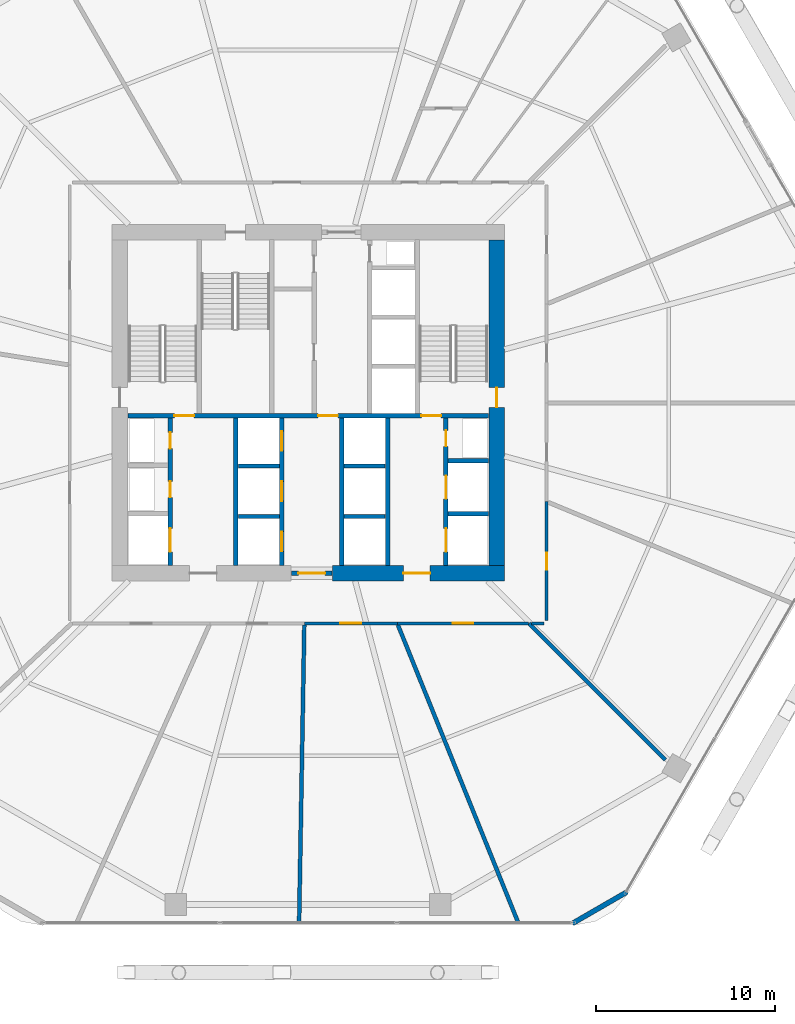
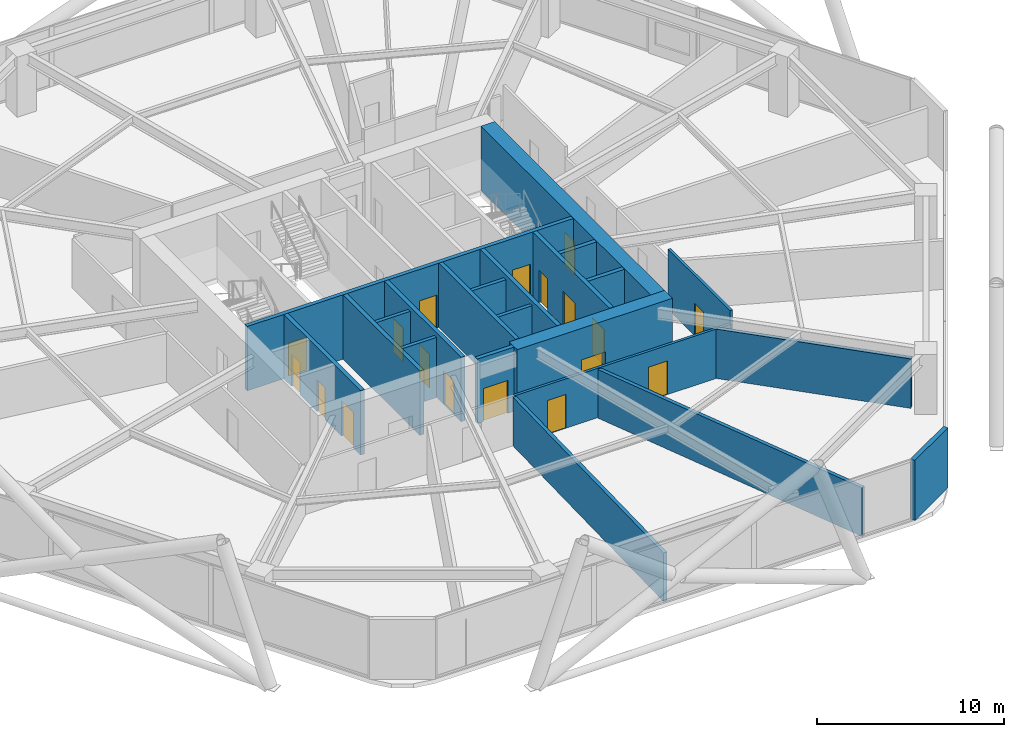
# One storey, part 25 of 28: 24 walls, 18 doors, 18 openings.
"""IFC4 building model written with IfcOpenShell, lengths in metres."""

from ifc_helpers import new_model, si_unit, direction, frame, frame_2d, origin, place, context, subcontext, project, spatial, rectangle, extrude, material, layer, layer_set, type_object, element, fill, save


model = new_model("IFC4")

# Units and contexts
model_context = context("Model", 3, precision=1e-05, world=origin(), true_north=direction((0.0, 1.0)))
body_context = subcontext(model_context, "Body", "Model", "MODEL_VIEW")
ifc_project = project(units=[si_unit("LENGTHUNIT", "METRE"), si_unit("AREAUNIT", "SQUARE_METRE"), si_unit("VOLUMEUNIT", "CUBIC_METRE"), si_unit("PLANEANGLEUNIT", "RADIAN"), si_unit("MASSUNIT", "GRAM", prefix="KILO")], contexts=[model_context])

# Site, building, storey
site_placement = place(None, origin())
site = spatial("IfcSite", under=ifc_project, at=site_placement, CompositionType="ELEMENT")
building_placement = place(site_placement, origin())
building = spatial("IfcBuilding", under=site, at=building_placement, Name="Zuhravey Tower", CompositionType="ELEMENT")
storey_placement = place(building_placement, frame((0.0, 0.0, 75.0)))
storey = spatial("IfcBuildingStorey", under=building, at=storey_placement, Name="L18", CompositionType="ELEMENT", Elevation=75.0)

# Wall, opening, door
ifc_material_1 = material(Name="Concrete C60/75", Category="concrete")
ifc_layer_1 = layer(ifc_material_1, 0.85009765625)
ifc_layer_set_1 = layer_set([ifc_layer_1], Name="Concrete C60/75")
wall_type_1 = type_object("IfcWallType", Name="Core Shear Wall 850", PredefinedType="SHEAR", material=ifc_layer_set_1)
wall_1_placement = place(storey_placement, frame((37.35009765625, 22.5, 0.0), z_axis=(0.0, 0.0, 1.0), x_axis=(1.0, 0.0, 0.0)))
wall_1 = element("IfcWall", 1, at=wall_1_placement, inside=storey, type_object=wall_type_1, Name="L18 South-East Core Shear Wall CW85", PredefinedType="SHEAR", context=body_context, shape_type="SweptSolid", body=[
    extrude(rectangle(XDim=9.574951171875, YDim=0.85009765625, at=frame_2d((4.78759765625, 0.0))), origin(), (0.0, 0.0, 1.0), 4.199951171875),
])
opening_1_placement = place(wall_1_placement, frame((3.949951171875, 0.0, 0.0)))
opening_1 = element("IfcOpeningElement", 2, at=opening_1_placement, cuts=wall_1, Name="Opening FFD1", PredefinedType="OPENING", context=body_context, shape_type="SweptSolid", body=[
    extrude(rectangle(XDim=1.5, YDim=2.14990234375, at=frame_2d((0.75, 1.074951171875))), frame((0.0, 0.43701171875, 0.0), z_axis=(0.0, -1.0, 0.0), x_axis=(1.0, 0.0, 0.0)), (0.0, 0.0, 1.0), 0.8740234375),
])
ifc_material_2 = material(Name="Galvanised fire-rated steel leaf", Category="steel")
door_type_1 = type_object("IfcDoorType", Name="Firefighting Lobby Double Door 1500x2150", OperationType="DOUBLE_DOOR_SINGLE_SWING", PredefinedType="DOOR", material=ifc_material_2)
door_1_placement = place(opening_1_placement, origin())
door_1 = element("IfcDoor", 3, at=door_1_placement, inside=storey, type_object=door_type_1, Name="L18 Firefighting Lobby East Door", OperationType="DOUBLE_DOOR_SINGLE_SWING", OverallHeight=2.14990234375, OverallWidth=1.5, PredefinedType="DOOR", context=body_context, shape_type="SweptSolid", body=[
    extrude(rectangle(XDim=1.5, YDim=2.14990234375, at=frame_2d((0.75, 1.074951171875))), frame((0.0, 0.02490234375, 0.0), z_axis=(0.0, -1.0, 0.0), x_axis=(1.0, 0.0, 0.0)), (0.0, 0.0, 1.0), 0.050048828125),
])
fill(opening_1, door_1)

wall_2_placement = place(storey_placement, frame((46.5, 22.925048828125, 0.0), z_axis=(0.0, 0.0, 1.0), x_axis=(0.0, 1.0, 0.0)))
wall_2 = element("IfcWall", 4, at=wall_2_placement, inside=storey, type_object=wall_type_1, Name="L18 East Core Shear Wall CW85", PredefinedType="SHEAR", context=body_context, shape_type="SweptSolid", body=[
    extrude(rectangle(XDim=18.14990234375, YDim=0.85009765625, at=frame_2d((9.074951171875, 0.0))), origin(), (0.0, 0.0, 1.0), 4.199951171875),
])
opening_2_placement = place(wall_2_placement, frame((8.824951171875, 0.0, 0.0)))
opening_2 = element("IfcOpeningElement", 5, at=opening_2_placement, cuts=wall_2, Name="Opening STD1", PredefinedType="OPENING", context=body_context, shape_type="SweptSolid", body=[
    extrude(rectangle(XDim=1.10009765625, YDim=2.14990234375, at=frame_2d((0.550048828125, 1.074951171875))), frame((0.0, 0.43701171875, 0.0), z_axis=(0.0, -1.0, 0.0), x_axis=(1.0, 0.0, 0.0)), (0.0, 0.0, 1.0), 0.8740234375),
])
door_type_2 = type_object("IfcDoorType", Name="Protected Stair Fire Door 1100x2150", OperationType="NOTDEFINED", PredefinedType="USERDEFINED", material=ifc_material_2)
door_2_placement = place(opening_2_placement, origin())
door_2 = element("IfcDoor", 6, at=door_2_placement, inside=storey, type_object=door_type_2, Name="L18 Stair ST2 Door", ObjectType="EXITDOOR", OperationType="SINGLE_SWING_LEFT", OverallHeight=2.14990234375, OverallWidth=1.10009765625, PredefinedType="USERDEFINED", context=body_context, shape_type="SweptSolid", body=[
    extrude(rectangle(XDim=1.10009765625, YDim=2.14990234375, at=frame_2d((0.550048828125, 1.074951171875))), frame((0.0, 0.02490234375, 0.0), z_axis=(0.0, -1.0, 0.0), x_axis=(1.0, 0.0, 0.0)), (0.0, 0.0, 1.0), 0.050048828125),
])
fill(opening_2, door_2)

ifc_material_3 = material(Name="Gypsum fire-rated stud partition")
ifc_layer_2 = layer(ifc_material_3, 0.159912109375)
ifc_layer_set_2 = layer_set([ifc_layer_2], Name="Gypsum fire-rated stud partition")
wall_type_2 = type_object("IfcWallType", Name="Corridor Fire Partition 160", PredefinedType="PARTITIONING", material=ifc_layer_set_2)
wall_3_placement = place(storey_placement, frame((35.78564453125, 19.715087890625, 0.0), z_axis=(0.0, 0.0, 1.0), x_axis=(1.0, 0.0, 0.0)))
wall_3 = element("IfcWall", 7, at=wall_3_placement, inside=storey, type_object=wall_type_2, Name="L18 IW16 Partition 028", PredefinedType="PARTITIONING", context=body_context, shape_type="SweptSolid", body=[
    extrude(rectangle(XDim=5.177734375, YDim=0.159912109375, at=frame_2d((2.5888671875, 0.0))), origin(), (0.0, 0.0, 1.0), 3.219970703125),
])
opening_3_placement = place(wall_3_placement, frame((2.013916015625, 0.0, 0.0)))
opening_3 = element("IfcOpeningElement", 8, at=opening_3_placement, cuts=wall_3, Name="Opening CLD1", PredefinedType="OPENING", context=body_context, shape_type="SweptSolid", body=[
    extrude(rectangle(XDim=1.14990234375, YDim=2.199951171875, at=frame_2d((0.574951171875, 1.10009765625))), frame((0.0, 0.092041015625, 0.0), z_axis=(0.0, -1.0, 0.0), x_axis=(1.0, 0.0, 0.0)), (0.0, 0.0, 1.0), 0.183837890625),
])
ifc_material_4 = material(Name="Acoustic timber leaf with vision lite", Category="wood")
door_type_3 = type_object("IfcDoorType", Name="Classroom Acoustic Door 1150x2200", OperationType="NOTDEFINED", PredefinedType="DOOR", material=ifc_material_4)
door_3_placement = place(opening_3_placement, frame((1.14990234375, 0.0, 0.0), z_axis=(0.0, 0.0, 1.0), x_axis=(-1.0, 0.0, 0.0)))
door_3 = element("IfcDoor", 9, at=door_3_placement, inside=storey, type_object=door_type_3, Name="L18 Door 028.1", OperationType="SINGLE_SWING_LEFT", OverallHeight=2.199951171875, OverallWidth=1.14990234375, PredefinedType="DOOR", context=body_context, shape_type="SweptSolid", body=[
    extrude(rectangle(XDim=1.14990234375, YDim=2.199951171875, at=frame_2d((0.574951171875, 1.10009765625))), frame((0.0, 0.02490234375, 0.0), z_axis=(0.0, -1.0, 0.0), x_axis=(1.0, 0.0, 0.0)), (0.0, 0.0, 1.0), 0.050048828125),
])
fill(opening_3, door_3)

wall_4_placement = place(storey_placement, frame((40.96337890625, 19.715087890625, 0.0), z_axis=(0.0, 0.0, 1.0), x_axis=(1.0, 0.0, 0.0)))
wall_4 = element("IfcWall", 10, at=wall_4_placement, inside=storey, type_object=wall_type_2, Name="L18 IW16 Partition 029", PredefinedType="PARTITIONING", context=body_context, shape_type="SweptSolid", body=[
    extrude(rectangle(XDim=7.321533203125, YDim=0.159912109375, at=frame_2d((3.66064453125, 0.0))), origin(), (0.0, 0.0, 1.0), 3.219970703125),
])
opening_4_placement = place(wall_4_placement, frame((3.085693359375, 0.0, 0.0)))
opening_4 = element("IfcOpeningElement", 11, at=opening_4_placement, cuts=wall_4, Name="Opening CLD1", PredefinedType="OPENING", context=body_context, shape_type="SweptSolid", body=[
    extrude(rectangle(XDim=1.14990234375, YDim=2.199951171875, at=frame_2d((0.574951171875, 1.10009765625))), frame((0.0, 0.092041015625, 0.0), z_axis=(0.0, -1.0, 0.0), x_axis=(1.0, 0.0, 0.0)), (0.0, 0.0, 1.0), 0.183837890625),
])
door_4_placement = place(opening_4_placement, frame((1.14990234375, 0.0, 0.0), z_axis=(0.0, 0.0, 1.0), x_axis=(-1.0, 0.0, 0.0)))
door_4 = element("IfcDoor", 12, at=door_4_placement, inside=storey, type_object=door_type_3, Name="L18 Door 029.1", OperationType="SINGLE_SWING_RIGHT", OverallHeight=2.199951171875, OverallWidth=1.14990234375, PredefinedType="DOOR", context=body_context, shape_type="SweptSolid", body=[
    extrude(rectangle(XDim=1.14990234375, YDim=2.199951171875, at=frame_2d((0.574951171875, 1.10009765625))), frame((0.0, 0.02490234375, 0.0), z_axis=(0.0, -1.0, 0.0), x_axis=(1.0, 0.0, 0.0)), (0.0, 0.0, 1.0), 0.050048828125),
])
fill(opening_4, door_4)

wall_5_placement = place(storey_placement, frame((49.284912109375, 19.875, 0.0), z_axis=(0.0, 0.0, 1.0), x_axis=(0.0, 1.0, 0.0)))
wall_5 = element("IfcWall", 13, at=wall_5_placement, inside=storey, type_object=wall_type_2, Name="L18 IW16 Partition 030", PredefinedType="PARTITIONING", context=body_context, shape_type="SweptSolid", body=[
    extrude(rectangle(XDim=6.622314453125, YDim=0.159912109375, at=frame_2d((3.31103515625, 0.0))), origin(), (0.0, 0.0, 1.0), 3.919921875),
])
opening_5_placement = place(wall_5_placement, frame((2.836181640625, 0.0, 0.0)))
opening_5 = element("IfcOpeningElement", 14, at=opening_5_placement, cuts=wall_5, Name="Opening IND1", PredefinedType="OPENING", context=body_context, shape_type="SweptSolid", body=[
    extrude(rectangle(XDim=0.949951171875, YDim=2.10009765625, at=frame_2d((0.47509765625, 1.050048828125))), frame((0.0, 0.092041015625, 0.0), z_axis=(0.0, -1.0, 0.0), x_axis=(1.0, 0.0, 0.0)), (0.0, 0.0, 1.0), 0.183837890625),
])
ifc_material_5 = material(Name="Painted engineered timber leaf", Category="wood")
door_type_4 = type_object("IfcDoorType", Name="Internal Room & Bedroom Door 950x2100", OperationType="NOTDEFINED", PredefinedType="DOOR", material=ifc_material_5)
door_5_placement = place(opening_5_placement, frame((0.949951171875, 0.0, 0.0), z_axis=(0.0, 0.0, 1.0), x_axis=(-1.0, 0.0, 0.0)))
door_5 = element("IfcDoor", 15, at=door_5_placement, inside=storey, type_object=door_type_4, Name="L18 Door 030.1", OperationType="SINGLE_SWING_LEFT", OverallHeight=2.10009765625, OverallWidth=0.949951171875, PredefinedType="DOOR", context=body_context, shape_type="SweptSolid", body=[
    extrude(rectangle(XDim=0.949951171875, YDim=2.10009765625, at=frame_2d((0.47509765625, 1.050048828125))), frame((0.0, 0.02490234375, 0.0), z_axis=(0.0, -1.0, 0.0), x_axis=(1.0, 0.0, 0.0)), (0.0, 0.0, 1.0), 0.050048828125),
])
fill(opening_5, door_5)

# Walls
wall_6_placement = place(storey_placement, frame((48.451904296875, 19.715087890625, 0.0), z_axis=(0.0, 0.0, 1.0), x_axis=(1.0, 0.0, 0.0)))
element("IfcWall", 16, at=wall_6_placement, inside=storey, type_object=wall_type_2, Name="L18 IW16 Partition 057", PredefinedType="PARTITIONING", context=body_context, shape_type="SweptSolid", body=[
    extrude(rectangle(XDim=0.673095703125, YDim=0.159912109375, at=frame_2d((0.33642578125, 0.0))), origin(), (0.0, 0.0, 1.0), 3.219970703125),
])
ifc_material_6 = material(Name="Precast concrete C40/50", Category="concrete")
ifc_layer_3 = layer(ifc_material_6, 0.280029296875)
ifc_layer_set_3 = layer_set([ifc_layer_3], Name="Precast concrete C40/50")
wall_type_3 = type_object("IfcWallType", Name="Crown Architectural Wall 280", PredefinedType="SOLIDWALL", material=ifc_layer_set_3)
wall_7_placement = place(storey_placement, frame((53.76123046875, 4.75146484375, 0.0), z_axis=(0.0, 0.0, 1.0), x_axis=(-0.866007452331, -0.500031091541, 0.0)))
element("IfcWall", 17, at=wall_7_placement, inside=storey, type_object=wall_type_3, Name="L18 Rounded Corner Closure Wall EW28-02", PredefinedType="SOLIDWALL", context=body_context, shape_type="SweptSolid", body=[
    extrude(rectangle(XDim=3.514892578125, YDim=0.280029296875, at=frame_2d((1.75732421875, 0.0))), origin(), (0.0, 0.0, 1.0), 3.919921875),
])

# Wall, opening, door
ifc_material_7 = material(Name="Concrete C50/60", Category="concrete")
ifc_layer_4 = layer(ifc_material_7, 0.25)
ifc_layer_set_4 = layer_set([ifc_layer_4], Name="Concrete C50/60")
wall_type_4 = type_object("IfcWallType", Name="Firefighting Shaft & Stair Wall 250", PredefinedType="SOLIDWALL", material=ifc_layer_set_4)
wall_8_placement = place(storey_placement, frame((35.06005859375, 22.5, 0.0), z_axis=(0.0, 0.0, 1.0), x_axis=(1.0, 0.0, 0.0)))
wall_8 = element("IfcWall", 18, at=wall_8_placement, inside=storey, type_object=wall_type_4, Name="L18 FW25 Shaft Wall 001", PredefinedType="SOLIDWALL", context=body_context, shape_type="SweptSolid", body=[
    extrude(rectangle(XDim=2.280029296875, YDim=0.25, at=frame_2d((1.14013671875, 0.0))), origin(), (0.0, 0.0, 1.0), 4.199951171875),
])
opening_6_placement = place(wall_8_placement, frame((0.389892578125, 0.0, 0.0)))
opening_6 = element("IfcOpeningElement", 19, at=opening_6_placement, cuts=wall_8, Name="Opening FFD1", PredefinedType="OPENING", context=body_context, shape_type="SweptSolid", body=[
    extrude(rectangle(XDim=1.5, YDim=2.14990234375, at=frame_2d((0.75, 1.074951171875))), frame((0.0, 0.136962890625, 0.0), z_axis=(0.0, -1.0, 0.0), x_axis=(1.0, 0.0, 0.0)), (0.0, 0.0, 1.0), 0.27392578125),
])
door_6_placement = place(opening_6_placement, frame((1.5, 0.0, 0.0), z_axis=(0.0, 0.0, 1.0), x_axis=(-1.0, 0.0, 0.0)))
door_6 = element("IfcDoor", 20, at=door_6_placement, inside=storey, type_object=door_type_1, Name="L18 South Lift Lobby Exit Door", OperationType="DOUBLE_DOOR_SINGLE_SWING", OverallHeight=2.14990234375, OverallWidth=1.5, PredefinedType="DOOR", context=body_context, shape_type="SweptSolid", body=[
    extrude(rectangle(XDim=1.5, YDim=2.14990234375, at=frame_2d((0.75, 1.074951171875))), frame((0.0, 0.02490234375, 0.0), z_axis=(0.0, -1.0, 0.0), x_axis=(1.0, 0.0, 0.0)), (0.0, 0.0, 1.0), 0.050048828125),
])
fill(opening_6, door_6)

# Wall, openings, doors
wall_9_placement = place(storey_placement, frame((25.949951171875, 31.27490234375, 0.0), z_axis=(0.0, 0.0, 1.0), x_axis=(1.0, 0.0, 0.0)))
wall_9 = element("IfcWall", 21, at=wall_9_placement, inside=storey, type_object=wall_type_4, Name="L18 FW25 Shaft Wall 003", PredefinedType="SOLIDWALL", context=body_context, shape_type="SweptSolid", body=[
    extrude(rectangle(XDim=20.10009765625, YDim=0.25, at=frame_2d((10.050048828125, 0.0))), origin(), (0.0, 0.0, 1.0), 4.199951171875),
])
opening_7_placement = place(wall_9_placement, frame((2.60009765625, 0.0, 0.0)))
opening_7 = element("IfcOpeningElement", 22, at=opening_7_placement, cuts=wall_9, Name="Opening STD1", PredefinedType="OPENING", context=body_context, shape_type="SweptSolid", body=[
    extrude(rectangle(XDim=1.10009765625, YDim=2.14990234375, at=frame_2d((0.550048828125, 1.074951171875))), frame((0.0, 0.136962890625, 0.0), z_axis=(0.0, -1.0, 0.0), x_axis=(1.0, 0.0, 0.0)), (0.0, 0.0, 1.0), 0.27392578125),
])
opening_8_placement = place(wall_9_placement, frame((10.60009765625, 0.0, 0.0)))
opening_8 = element("IfcOpeningElement", 23, at=opening_8_placement, cuts=wall_9, Name="Opening STD1", PredefinedType="OPENING", context=body_context, shape_type="SweptSolid", body=[
    extrude(rectangle(XDim=1.10009765625, YDim=2.14990234375, at=frame_2d((0.550048828125, 1.074951171875))), frame((0.0, 0.136962890625, 0.0), z_axis=(0.0, -1.0, 0.0), x_axis=(1.0, 0.0, 0.0)), (0.0, 0.0, 1.0), 0.27392578125),
])
opening_9_placement = place(wall_9_placement, frame((16.35009765625, 0.0, 0.0)))
opening_9 = element("IfcOpeningElement", 24, at=opening_9_placement, cuts=wall_9, Name="Opening STD1", PredefinedType="OPENING", context=body_context, shape_type="SweptSolid", body=[
    extrude(rectangle(XDim=1.10009765625, YDim=2.14990234375, at=frame_2d((0.550048828125, 1.074951171875))), frame((0.0, 0.136962890625, 0.0), z_axis=(0.0, -1.0, 0.0), x_axis=(1.0, 0.0, 0.0)), (0.0, 0.0, 1.0), 0.27392578125),
])
door_7_placement = place(opening_7_placement, origin())
door_7 = element("IfcDoor", 25, at=door_7_placement, inside=storey, type_object=door_type_2, Name="L18 FFL-W to ST1 Door", ObjectType="EXITDOOR", OperationType="SINGLE_SWING_LEFT", OverallHeight=2.14990234375, OverallWidth=1.10009765625, PredefinedType="USERDEFINED", context=body_context, shape_type="SweptSolid", body=[
    extrude(rectangle(XDim=1.10009765625, YDim=2.14990234375, at=frame_2d((0.550048828125, 1.074951171875))), frame((0.0, 0.02490234375, 0.0), z_axis=(0.0, -1.0, 0.0), x_axis=(1.0, 0.0, 0.0)), (0.0, 0.0, 1.0), 0.050048828125),
])
fill(opening_7, door_7)
door_8_placement = place(opening_8_placement, origin())
door_8 = element("IfcDoor", 26, at=door_8_placement, inside=storey, type_object=door_type_2, Name="L18 Core Lobby Link Door", ObjectType="EXITDOOR", OperationType="SINGLE_SWING_RIGHT", OverallHeight=2.14990234375, OverallWidth=1.10009765625, PredefinedType="USERDEFINED", context=body_context, shape_type="SweptSolid", body=[
    extrude(rectangle(XDim=1.10009765625, YDim=2.14990234375, at=frame_2d((0.550048828125, 1.074951171875))), frame((0.0, 0.02490234375, 0.0), z_axis=(0.0, -1.0, 0.0), x_axis=(1.0, 0.0, 0.0)), (0.0, 0.0, 1.0), 0.050048828125),
])
fill(opening_8, door_8)
door_9_placement = place(opening_9_placement, origin())
door_9 = element("IfcDoor", 27, at=door_9_placement, inside=storey, type_object=door_type_2, Name="L18 FFL-E to ST2 Door", ObjectType="EXITDOOR", OperationType="SINGLE_SWING_LEFT", OverallHeight=2.14990234375, OverallWidth=1.10009765625, PredefinedType="USERDEFINED", context=body_context, shape_type="SweptSolid", body=[
    extrude(rectangle(XDim=1.10009765625, YDim=2.14990234375, at=frame_2d((0.550048828125, 1.074951171875))), frame((0.0, 0.02490234375, 0.0), z_axis=(0.0, -1.0, 0.0), x_axis=(1.0, 0.0, 0.0)), (0.0, 0.0, 1.0), 0.050048828125),
])
fill(opening_9, door_9)

wall_10_placement = place(storey_placement, frame((28.324951171875, 22.949951171875, 0.0), z_axis=(0.0, 0.0, 1.0), x_axis=(0.0, 1.0, 0.0)))
wall_10 = element("IfcWall", 28, at=wall_10_placement, inside=storey, type_object=wall_type_4, Name="L18 FW25 Shaft Wall 011", PredefinedType="SOLIDWALL", context=body_context, shape_type="SweptSolid", body=[
    extrude(rectangle(XDim=8.199951171875, YDim=0.25, at=frame_2d((4.10009765625, 0.0))), origin(), (0.0, 0.0, 1.0), 4.199951171875),
])
opening_10_placement = place(wall_10_placement, frame((0.75, 0.0, 0.0)))
opening_10 = element("IfcOpeningElement", 29, at=opening_10_placement, cuts=wall_10, Name="Opening LD2", PredefinedType="OPENING", context=body_context, shape_type="SweptSolid", body=[
    extrude(rectangle(XDim=1.300048828125, YDim=2.300048828125, at=frame_2d((0.64990234375, 1.14990234375))), frame((0.0, 0.136962890625, 0.0), z_axis=(0.0, -1.0, 0.0), x_axis=(1.0, 0.0, 0.0)), (0.0, 0.0, 1.0), 0.27392578125),
])
opening_11_placement = place(wall_10_placement, frame((3.780029296875, 0.0, 0.0)))
opening_11 = element("IfcOpeningElement", 30, at=opening_11_placement, cuts=wall_10, Name="Opening RSD1", PredefinedType="OPENING", context=body_context, shape_type="SweptSolid", body=[
    extrude(rectangle(XDim=0.89990234375, YDim=2.10009765625, at=frame_2d((0.449951171875, 1.050048828125))), frame((0.0, 0.136962890625, 0.0), z_axis=(0.0, -1.0, 0.0), x_axis=(1.0, 0.0, 0.0)), (0.0, 0.0, 1.0), 0.27392578125),
])
opening_12_placement = place(wall_10_placement, frame((6.5, 0.0, 0.0)))
opening_12 = element("IfcOpeningElement", 31, at=opening_12_placement, cuts=wall_10, Name="Opening RSD1", PredefinedType="OPENING", context=body_context, shape_type="SweptSolid", body=[
    extrude(rectangle(XDim=0.89990234375, YDim=2.10009765625, at=frame_2d((0.449951171875, 1.050048828125))), frame((0.0, 0.136962890625, 0.0), z_axis=(0.0, -1.0, 0.0), x_axis=(1.0, 0.0, 0.0)), (0.0, 0.0, 1.0), 0.27392578125),
])
ifc_material_8 = material(Name="Brushed stainless steel", Category="steel")
door_type_5 = type_object("IfcDoorType", Name="Freight & Stretcher Lift Sliding Door 1300x2300", OperationType="DOUBLE_DOOR_SLIDING", PredefinedType="DOOR", material=ifc_material_8)
door_10_placement = place(opening_10_placement, frame((1.300048828125, 0.0, 0.0), z_axis=(0.0, 0.0, 1.0), x_axis=(-1.0, 0.0, 0.0)))
door_10 = element("IfcDoor", 32, at=door_10_placement, inside=storey, type_object=door_type_5, Name="L18 Lift FF1 Landing Door", OperationType="DOUBLE_DOOR_SLIDING", OverallHeight=2.300048828125, OverallWidth=1.300048828125, PredefinedType="DOOR", context=body_context, shape_type="SweptSolid", body=[
    extrude(rectangle(XDim=1.300048828125, YDim=2.300048828125, at=frame_2d((0.64990234375, 1.14990234375))), frame((0.0, 0.02490234375, 0.0), z_axis=(0.0, -1.0, 0.0), x_axis=(1.0, 0.0, 0.0)), (0.0, 0.0, 1.0), 0.050048828125),
])
fill(opening_10, door_10)
ifc_material_9 = material(Name="Galvanised fire-rated steel access leaf", Category="steel")
door_type_6 = type_object("IfcDoorType", Name="Riser & Shaft Access Fire Door 900x2100", OperationType="NOTDEFINED", PredefinedType="DOOR", material=ifc_material_9)
door_11_placement = place(opening_11_placement, frame((0.89990234375, 0.0, 0.0), z_axis=(0.0, 0.0, 1.0), x_axis=(-1.0, 0.0, 0.0)))
door_11 = element("IfcDoor", 33, at=door_11_placement, inside=storey, type_object=door_type_6, Name="L18 Electrical Riser Door", OperationType="SINGLE_SWING_LEFT", OverallHeight=2.10009765625, OverallWidth=0.89990234375, PredefinedType="DOOR", context=body_context, shape_type="SweptSolid", body=[
    extrude(rectangle(XDim=0.89990234375, YDim=2.10009765625, at=frame_2d((0.449951171875, 1.050048828125))), frame((0.0, 0.02490234375, 0.0), z_axis=(0.0, -1.0, 0.0), x_axis=(1.0, 0.0, 0.0)), (0.0, 0.0, 1.0), 0.050048828125),
])
fill(opening_11, door_11)
door_12_placement = place(opening_12_placement, frame((0.89990234375, 0.0, 0.0), z_axis=(0.0, 0.0, 1.0), x_axis=(-1.0, 0.0, 0.0)))
door_12 = element("IfcDoor", 34, at=door_12_placement, inside=storey, type_object=door_type_6, Name="L18 Smoke Shaft Access Door", OperationType="SINGLE_SWING_RIGHT", OverallHeight=2.10009765625, OverallWidth=0.89990234375, PredefinedType="DOOR", context=body_context, shape_type="SweptSolid", body=[
    extrude(rectangle(XDim=0.89990234375, YDim=2.10009765625, at=frame_2d((0.449951171875, 1.050048828125))), frame((0.0, 0.02490234375, 0.0), z_axis=(0.0, -1.0, 0.0), x_axis=(1.0, 0.0, 0.0)), (0.0, 0.0, 1.0), 0.050048828125),
])
fill(opening_12, door_12)

# Wall
wall_11_placement = place(storey_placement, frame((31.97509765625, 22.949951171875, 0.0), z_axis=(0.0, 0.0, 1.0), x_axis=(0.0, 1.0, 0.0)))
element("IfcWall", 35, at=wall_11_placement, inside=storey, type_object=wall_type_4, Name="L18 FW25 Shaft Wall 012", PredefinedType="SOLIDWALL", context=body_context, shape_type="SweptSolid", body=[
    extrude(rectangle(XDim=8.199951171875, YDim=0.25, at=frame_2d((4.10009765625, 0.0))), origin(), (0.0, 0.0, 1.0), 4.199951171875),
])

# Wall, openings, doors
wall_12_placement = place(storey_placement, frame((34.52490234375, 22.949951171875, 0.0), z_axis=(0.0, 0.0, 1.0), x_axis=(0.0, 1.0, 0.0)))
wall_12 = element("IfcWall", 36, at=wall_12_placement, inside=storey, type_object=wall_type_4, Name="L18 FW25 Shaft Wall 013", PredefinedType="SOLIDWALL", context=body_context, shape_type="SweptSolid", body=[
    extrude(rectangle(XDim=8.199951171875, YDim=0.25, at=frame_2d((4.10009765625, 0.0))), origin(), (0.0, 0.0, 1.0), 4.199951171875),
])
opening_13_placement = place(wall_12_placement, frame((0.77490234375, 0.0, 0.0)))
opening_13 = element("IfcOpeningElement", 37, at=opening_13_placement, cuts=wall_12, Name="Opening LD1", PredefinedType="OPENING", context=body_context, shape_type="SweptSolid", body=[
    extrude(rectangle(XDim=1.10009765625, YDim=2.199951171875, at=frame_2d((0.550048828125, 1.10009765625))), frame((0.0, 0.136962890625, 0.0), z_axis=(0.0, -1.0, 0.0), x_axis=(1.0, 0.0, 0.0)), (0.0, 0.0, 1.0), 0.27392578125),
])
opening_14_placement = place(wall_12_placement, frame((3.574951171875, 0.0, 0.0)))
opening_14 = element("IfcOpeningElement", 38, at=opening_14_placement, cuts=wall_12, Name="Opening LD1", PredefinedType="OPENING", context=body_context, shape_type="SweptSolid", body=[
    extrude(rectangle(XDim=1.10009765625, YDim=2.199951171875, at=frame_2d((0.550048828125, 1.10009765625))), frame((0.0, 0.136962890625, 0.0), z_axis=(0.0, -1.0, 0.0), x_axis=(1.0, 0.0, 0.0)), (0.0, 0.0, 1.0), 0.27392578125),
])
opening_15_placement = place(wall_12_placement, frame((6.375, 0.0, 0.0)))
opening_15 = element("IfcOpeningElement", 39, at=opening_15_placement, cuts=wall_12, Name="Opening LD1", PredefinedType="OPENING", context=body_context, shape_type="SweptSolid", body=[
    extrude(rectangle(XDim=1.10009765625, YDim=2.199951171875, at=frame_2d((0.550048828125, 1.10009765625))), frame((0.0, 0.136962890625, 0.0), z_axis=(0.0, -1.0, 0.0), x_axis=(1.0, 0.0, 0.0)), (0.0, 0.0, 1.0), 0.27392578125),
])
door_type_7 = type_object("IfcDoorType", Name="Lift Landing Sliding Door 1100x2200", OperationType="DOUBLE_DOOR_SLIDING", PredefinedType="DOOR", material=ifc_material_8)
door_13_placement = place(opening_13_placement, frame((1.10009765625, 0.0, 0.0), z_axis=(0.0, 0.0, 1.0), x_axis=(-1.0, 0.0, 0.0)))
door_13 = element("IfcDoor", 40, at=door_13_placement, inside=storey, type_object=door_type_7, Name="L18 Lift PL1 Landing Door", OperationType="DOUBLE_DOOR_SLIDING", OverallHeight=2.199951171875, OverallWidth=1.10009765625, PredefinedType="DOOR", context=body_context, shape_type="SweptSolid", body=[
    extrude(rectangle(XDim=1.10009765625, YDim=2.199951171875, at=frame_2d((0.550048828125, 1.10009765625))), frame((0.0, 0.02490234375, 0.0), z_axis=(0.0, -1.0, 0.0), x_axis=(1.0, 0.0, 0.0)), (0.0, 0.0, 1.0), 0.050048828125),
])
fill(opening_13, door_13)
door_14_placement = place(opening_14_placement, frame((1.10009765625, 0.0, 0.0), z_axis=(0.0, 0.0, 1.0), x_axis=(-1.0, 0.0, 0.0)))
door_14 = element("IfcDoor", 41, at=door_14_placement, inside=storey, type_object=door_type_7, Name="L18 Lift PL2 Landing Door", OperationType="DOUBLE_DOOR_SLIDING", OverallHeight=2.199951171875, OverallWidth=1.10009765625, PredefinedType="DOOR", context=body_context, shape_type="SweptSolid", body=[
    extrude(rectangle(XDim=1.10009765625, YDim=2.199951171875, at=frame_2d((0.550048828125, 1.10009765625))), frame((0.0, 0.02490234375, 0.0), z_axis=(0.0, -1.0, 0.0), x_axis=(1.0, 0.0, 0.0)), (0.0, 0.0, 1.0), 0.050048828125),
])
fill(opening_14, door_14)
door_15_placement = place(opening_15_placement, frame((1.10009765625, 0.0, 0.0), z_axis=(0.0, 0.0, 1.0), x_axis=(-1.0, 0.0, 0.0)))
door_15 = element("IfcDoor", 42, at=door_15_placement, inside=storey, type_object=door_type_7, Name="L18 Lift PL3 Landing Door", OperationType="DOUBLE_DOOR_SLIDING", OverallHeight=2.199951171875, OverallWidth=1.10009765625, PredefinedType="DOOR", context=body_context, shape_type="SweptSolid", body=[
    extrude(rectangle(XDim=1.10009765625, YDim=2.199951171875, at=frame_2d((0.550048828125, 1.10009765625))), frame((0.0, 0.02490234375, 0.0), z_axis=(0.0, -1.0, 0.0), x_axis=(1.0, 0.0, 0.0)), (0.0, 0.0, 1.0), 0.050048828125),
])
fill(opening_15, door_15)

# Walls
for number, where, z_axis, x_axis, name in (
    (43, (37.875, 22.949951171875, 0.0), (0.0, 0.0, 1.0), (0.0, 1.0, 0.0), "L18 FW25 Shaft Wall 014"),
    (44, (40.425048828125, 22.949951171875, 0.0), (0.0, 0.0, 1.0), (0.0, 1.0, 0.0), "L18 FW25 Shaft Wall 015"),
):
    element("IfcWall", number, at=place(storey_placement, frame(where, z_axis=z_axis, x_axis=x_axis)), inside=storey, type_object=wall_type_4, Name=name, PredefinedType="SOLIDWALL", context=body_context, shape_type="SweptSolid", body=[
        extrude(rectangle(XDim=8.199951171875, YDim=0.25, at=frame_2d((4.10009765625, 0.0))), origin(), (0.0, 0.0, 1.0), 4.199951171875),
    ])
for number, where, z_axis, x_axis, name in (
    (45, (43.800048828125, 25.824951171875, 0.0), (0.0, 0.0, 1.0), (1.0, 0.0, 0.0), "L18 FW25 Shaft Wall 016"),
    (46, (43.800048828125, 28.77490234375, 0.0), (0.0, 0.0, 1.0), (1.0, 0.0, 0.0), "L18 FW25 Shaft Wall 017"),
):
    element("IfcWall", number, at=place(storey_placement, frame(where, z_axis=z_axis, x_axis=x_axis)), inside=storey, type_object=wall_type_4, Name=name, PredefinedType="SOLIDWALL", context=body_context, shape_type="SweptSolid", body=[
        extrude(rectangle(XDim=2.25, YDim=0.25, at=frame_2d((1.125, 0.0))), origin(), (0.0, 0.0, 1.0), 4.199951171875),
    ])

# Wall, openings, doors
wall_13_placement = place(storey_placement, frame((43.675048828125, 22.949951171875, 0.0), z_axis=(0.0, 0.0, 1.0), x_axis=(0.0, 1.0, 0.0)))
wall_13 = element("IfcWall", 47, at=wall_13_placement, inside=storey, type_object=wall_type_4, Name="L18 FW25 Shaft Wall 018", PredefinedType="SOLIDWALL", context=body_context, shape_type="SweptSolid", body=[
    extrude(rectangle(XDim=8.199951171875, YDim=0.25, at=frame_2d((4.10009765625, 0.0))), origin(), (0.0, 0.0, 1.0), 4.199951171875),
])
opening_16_placement = place(wall_13_placement, frame((0.75, 0.0, 0.0)))
opening_16 = element("IfcOpeningElement", 48, at=opening_16_placement, cuts=wall_13, Name="Opening LD2", PredefinedType="OPENING", context=body_context, shape_type="SweptSolid", body=[
    extrude(rectangle(XDim=1.300048828125, YDim=2.300048828125, at=frame_2d((0.64990234375, 1.14990234375))), frame((0.0, 0.136962890625, 0.0), z_axis=(0.0, -1.0, 0.0), x_axis=(1.0, 0.0, 0.0)), (0.0, 0.0, 1.0), 0.27392578125),
])
opening_17_placement = place(wall_13_placement, frame((3.699951171875, 0.0, 0.0)))
opening_17 = element("IfcOpeningElement", 49, at=opening_17_placement, cuts=wall_13, Name="Opening LD2", PredefinedType="OPENING", context=body_context, shape_type="SweptSolid", body=[
    extrude(rectangle(XDim=1.300048828125, YDim=2.300048828125, at=frame_2d((0.64990234375, 1.14990234375))), frame((0.0, 0.136962890625, 0.0), z_axis=(0.0, -1.0, 0.0), x_axis=(1.0, 0.0, 0.0)), (0.0, 0.0, 1.0), 0.27392578125),
])
opening_18_placement = place(wall_13_placement, frame((6.6201171875, 0.0, 0.0)))
opening_18 = element("IfcOpeningElement", 50, at=opening_18_placement, cuts=wall_13, Name="Opening RSD1", PredefinedType="OPENING", context=body_context, shape_type="SweptSolid", body=[
    extrude(rectangle(XDim=0.89990234375, YDim=2.10009765625, at=frame_2d((0.449951171875, 1.050048828125))), frame((0.0, 0.136962890625, 0.0), z_axis=(0.0, -1.0, 0.0), x_axis=(1.0, 0.0, 0.0)), (0.0, 0.0, 1.0), 0.27392578125),
])
door_16_placement = place(opening_16_placement, origin())
door_16 = element("IfcDoor", 51, at=door_16_placement, inside=storey, type_object=door_type_5, Name="L18 Lift FF2 Landing Door", OperationType="DOUBLE_DOOR_SLIDING", OverallHeight=2.300048828125, OverallWidth=1.300048828125, PredefinedType="DOOR", context=body_context, shape_type="SweptSolid", body=[
    extrude(rectangle(XDim=1.300048828125, YDim=2.300048828125, at=frame_2d((0.64990234375, 1.14990234375))), frame((0.0, 0.02490234375, 0.0), z_axis=(0.0, -1.0, 0.0), x_axis=(1.0, 0.0, 0.0)), (0.0, 0.0, 1.0), 0.050048828125),
])
fill(opening_16, door_16)
door_17_placement = place(opening_17_placement, origin())
door_17 = element("IfcDoor", 52, at=door_17_placement, inside=storey, type_object=door_type_5, Name="L18 Lift SV1 Landing Door", OperationType="DOUBLE_DOOR_SLIDING", OverallHeight=2.300048828125, OverallWidth=1.300048828125, PredefinedType="DOOR", context=body_context, shape_type="SweptSolid", body=[
    extrude(rectangle(XDim=1.300048828125, YDim=2.300048828125, at=frame_2d((0.64990234375, 1.14990234375))), frame((0.0, 0.02490234375, 0.0), z_axis=(0.0, -1.0, 0.0), x_axis=(1.0, 0.0, 0.0)), (0.0, 0.0, 1.0), 0.050048828125),
])
fill(opening_17, door_17)
door_18_placement = place(opening_18_placement, origin())
door_18 = element("IfcDoor", 53, at=door_18_placement, inside=storey, type_object=door_type_6, Name="L18 Plumbing Riser Door", OperationType="SINGLE_SWING_LEFT", OverallHeight=2.10009765625, OverallWidth=0.89990234375, PredefinedType="DOOR", context=body_context, shape_type="SweptSolid", body=[
    extrude(rectangle(XDim=0.89990234375, YDim=2.10009765625, at=frame_2d((0.449951171875, 1.050048828125))), frame((0.0, 0.02490234375, 0.0), z_axis=(0.0, -1.0, 0.0), x_axis=(1.0, 0.0, 0.0)), (0.0, 0.0, 1.0), 0.050048828125),
])
fill(opening_18, door_18)

# Walls
ifc_material_10 = material(Name="Gypsum acoustic stud assembly")
ifc_layer_5 = layer(ifc_material_10, 0.219970703125)
ifc_layer_set_5 = layer_set([ifc_layer_5], Name="Gypsum acoustic stud assembly")
wall_type_5 = type_object("IfcWallType", Name="School Acoustic Compartment Wall 220", PredefinedType="PARTITIONING", material=ifc_layer_set_5)
for number, where, z_axis, x_axis, name in (
    (54, (32.10791015625, 25.675048828125, 0.0), (0.0, 0.0, 1.0), (1.0, 0.0, 0.0), "L18 IW22 Partition 038"),
    (55, (32.10791015625, 28.47509765625, 0.0), (0.0, 0.0, 1.0), (1.0, 0.0, 0.0), "L18 IW22 Partition 039"),
):
    element("IfcWall", number, at=place(storey_placement, frame(where, z_axis=z_axis, x_axis=x_axis)), inside=storey, type_object=wall_type_5, Name=name, PredefinedType="PARTITIONING", context=body_context, shape_type="SweptSolid", body=[
        extrude(rectangle(XDim=2.2841796875, YDim=0.219970703125, at=frame_2d((1.14208984375, 0.0))), origin(), (0.0, 0.0, 1.0), 3.919921875),
    ])
for number, where, z_axis, x_axis, name in (
    (56, (38.008056640625, 25.675048828125, 0.0), (0.0, 0.0, 1.0), (1.0, 0.0, 0.0), "L18 IW22 Partition 040"),
    (57, (38.008056640625, 28.47509765625, 0.0), (0.0, 0.0, 1.0), (1.0, 0.0, 0.0), "L18 IW22 Partition 041"),
):
    element("IfcWall", number, at=place(storey_placement, frame(where, z_axis=z_axis, x_axis=x_axis)), inside=storey, type_object=wall_type_5, Name=name, PredefinedType="PARTITIONING", context=body_context, shape_type="SweptSolid", body=[
        extrude(rectangle(XDim=2.283935546875, YDim=0.219970703125, at=frame_2d((1.14208984375, 0.0))), origin(), (0.0, 0.0, 1.0), 3.919921875),
    ])
wall_14_placement = place(storey_placement, frame((35.783935546875, 19.626953125, 0.0), z_axis=(0.0, 0.0, 1.0), x_axis=(-0.01745546123, -0.99984764183, 0.0)))
element("IfcWall", 58, at=wall_14_placement, inside=storey, type_object=wall_type_5, Name="L18 IW22 Partition 053", PredefinedType="PARTITIONING", context=body_context, shape_type="SweptSolid", body=[
    extrude(rectangle(XDim=16.587890625, YDim=0.219970703125, at=frame_2d((8.2939453125, 0.0))), origin(), (0.0, 0.0, 1.0), 3.169921875),
])
wall_15_placement = place(storey_placement, frame((40.9990234375, 19.626953125, 0.0), z_axis=(0.0, 0.0, 1.0), x_axis=(0.374605213306, -0.927184412166, 0.0)))
element("IfcWall", 59, at=wall_15_placement, inside=storey, type_object=wall_type_5, Name="L18 IW22 Partition 054", PredefinedType="PARTITIONING", context=body_context, shape_type="SweptSolid", body=[
    extrude(rectangle(XDim=17.887939453125, YDim=0.219970703125, at=frame_2d((8.94384765625, 0.0))), origin(), (0.0, 0.0, 1.0), 3.169921875),
])
wall_16_placement = place(storey_placement, frame((48.284912109375, 19.715087890625, 0.0), z_axis=(0.0, 0.0, 1.0), x_axis=(0.707106781187, -0.707106781187, 0.0)))
element("IfcWall", 60, at=wall_16_placement, inside=storey, type_object=wall_type_5, Name="L18 IW22 Partition 055", PredefinedType="PARTITIONING", context=body_context, shape_type="SweptSolid", body=[
    extrude(rectangle(XDim=10.767822265625, YDim=0.219970703125, at=frame_2d((5.3837890625, 0.0))), origin(), (0.0, 0.0, 1.0), 3.219970703125),
])

save(model, "model.ifc")
